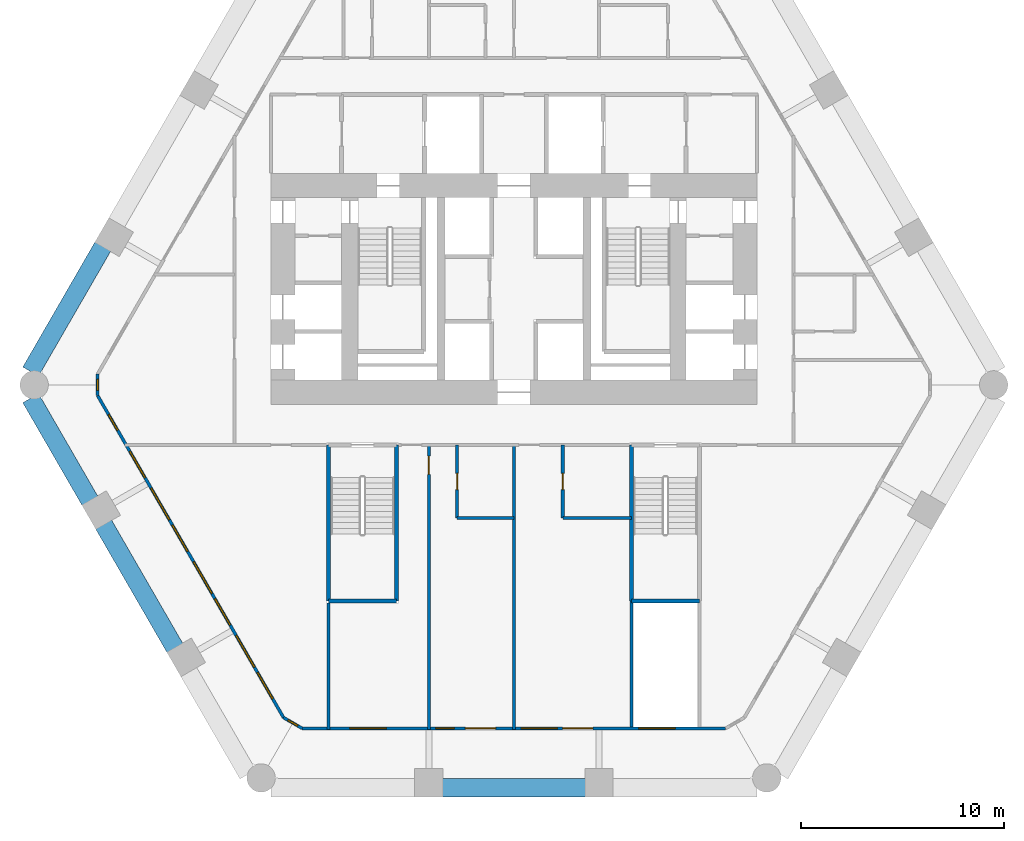
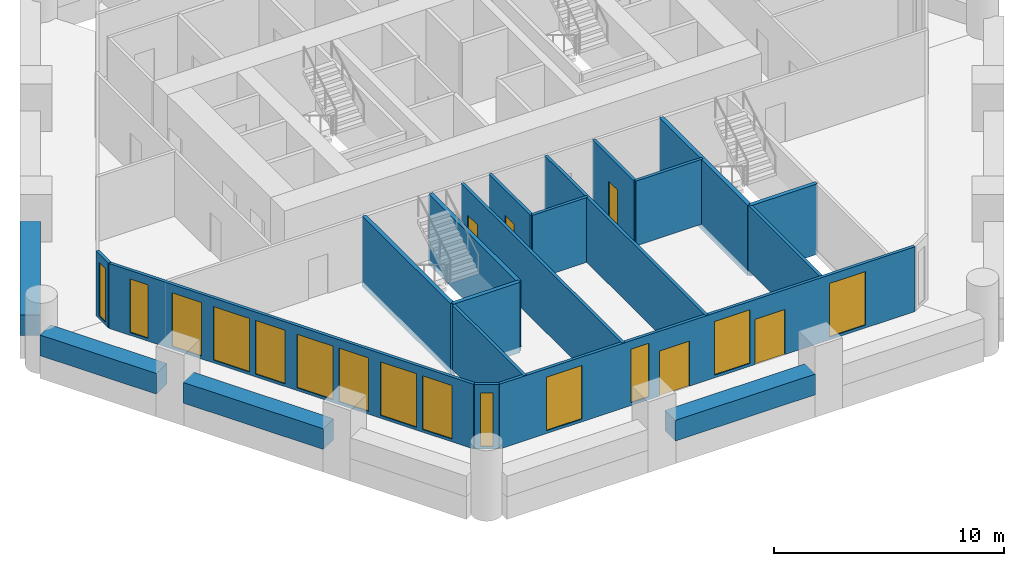
# One storey, part 2 of 8: 21 walls, 14 windows, 5 doors, 19 openings.
"""IFC4 building model written with IfcOpenShell, lengths in metres."""

from ifc_helpers import new_model, si_unit, direction, frame, frame_2d, origin, place, context, subcontext, project, spatial, rectangle, extrude, material, layer, layer_set, type_object, element, fill, save


model = new_model("IFC4")

# Units and contexts
model_context = context("Model", 3, precision=1e-05, world=origin(), true_north=direction((0.0, 1.0)))
body_context = subcontext(model_context, "Body", "Model", "MODEL_VIEW")
ifc_project = project(units=[si_unit("LENGTHUNIT", "METRE"), si_unit("AREAUNIT", "SQUARE_METRE"), si_unit("VOLUMEUNIT", "CUBIC_METRE"), si_unit("PLANEANGLEUNIT", "RADIAN"), si_unit("MASSUNIT", "GRAM", prefix="KILO")], contexts=[model_context])

# Site, building, storey
site_placement = place(None, origin())
site = spatial("IfcSite", under=ifc_project, at=site_placement, CompositionType="ELEMENT")
building_placement = place(site_placement, origin())
building = spatial("IfcBuilding", under=site, at=building_placement, Name="Ostrander Bayou Hotel Tower", CompositionType="ELEMENT")
storey_placement = place(building_placement, frame((0.0, 0.0, 61.75)))
storey = spatial("IfcBuildingStorey", under=building, at=storey_placement, Name="L15", CompositionType="ELEMENT", Elevation=61.75)

# Wall, openings, windows
ifc_material_1 = material(Name="Aluminium framed insulated wall", Category="aluminium")
ifc_layer_1 = layer(ifc_material_1, 0.14990234375)
ifc_layer_set_1 = layer_set([ifc_layer_1], Name="GW1 glass-line wall 150 mm")
wall_type_1 = type_object("IfcWallType", Name="GW1 glass-line wall 150 mm", PredefinedType="SOLIDWALL", material=ifc_layer_set_1)
wall_1_placement = place(storey_placement, frame((-20.542724609375, -1.268798828125, 0.0), z_axis=(0.0, 0.0, 1.0), x_axis=(0.499995095024, -0.866028235655, 0.0)))
wall_1 = element("IfcWall", 1, at=wall_1_placement, inside=storey, type_object=wall_type_1, Name="GW1 L15 SW 1", PredefinedType="SOLIDWALL", context=body_context, shape_type="SweptSolid", body=[
    extrude(rectangle(XDim=18.344970703125, YDim=0.14990234375, at=frame_2d((9.17236328125, 0.0))), origin(), (0.0, 0.0, 1.0), 3.449951171875),
])
opening_1_placement = place(wall_1_placement, frame((1.072509765625, 0.0, 0.14990234375)))
opening_1 = element("IfcOpeningElement", 2, at=opening_1_placement, cuts=wall_1, Name="Opening W15", PredefinedType="OPENING", context=body_context, shape_type="SweptSolid", body=[
    extrude(rectangle(XDim=0.89990234375, YDim=2.85009765625, at=frame_2d((0.449951171875, 1.425048828125))), frame((0.0, 0.074951171875, 0.0), z_axis=(0.0, -1.0, 0.0), x_axis=(1.0, 0.0, 0.0)), (0.0, 0.0, 1.0), 0.14990234375),
])
opening_2_placement = place(wall_1_placement, frame((3.17236328125, 0.0, 0.14990234375)))
opening_2 = element("IfcOpeningElement", 3, at=opening_2_placement, cuts=wall_1, Name="Opening W11", PredefinedType="OPENING", context=body_context, shape_type="SweptSolid", body=[
    extrude(rectangle(XDim=1.5, YDim=2.85009765625, at=frame_2d((0.75, 1.425048828125))), frame((0.0, 0.074951171875, 0.0), z_axis=(0.0, -1.0, 0.0), x_axis=(1.0, 0.0, 0.0)), (0.0, 0.0, 1.0), 0.14990234375),
])
opening_3_placement = place(wall_1_placement, frame((5.2724609375, 0.0, 0.14990234375)))
opening_3 = element("IfcOpeningElement", 4, at=opening_3_placement, cuts=wall_1, Name="Opening W1", PredefinedType="OPENING", context=body_context, shape_type="SweptSolid", body=[
    extrude(rectangle(XDim=1.800048828125, YDim=2.85009765625, at=frame_2d((0.89990234375, 1.425048828125))), frame((0.0, 0.074951171875, 0.0), z_axis=(0.0, -1.0, 0.0), x_axis=(1.0, 0.0, 0.0)), (0.0, 0.0, 1.0), 0.14990234375),
])
opening_4_placement = place(wall_1_placement, frame((7.372314453125, 0.0, 0.14990234375)))
opening_4 = element("IfcOpeningElement", 5, at=opening_4_placement, cuts=wall_1, Name="Opening W11", PredefinedType="OPENING", context=body_context, shape_type="SweptSolid", body=[
    extrude(rectangle(XDim=1.5, YDim=2.85009765625, at=frame_2d((0.75, 1.425048828125))), frame((0.0, 0.074951171875, 0.0), z_axis=(0.0, -1.0, 0.0), x_axis=(1.0, 0.0, 0.0)), (0.0, 0.0, 1.0), 0.14990234375),
])
opening_5_placement = place(wall_1_placement, frame((9.472412109375, 0.0, 0.14990234375)))
opening_5 = element("IfcOpeningElement", 6, at=opening_5_placement, cuts=wall_1, Name="Opening W1", PredefinedType="OPENING", context=body_context, shape_type="SweptSolid", body=[
    extrude(rectangle(XDim=1.800048828125, YDim=2.85009765625, at=frame_2d((0.89990234375, 1.425048828125))), frame((0.0, 0.074951171875, 0.0), z_axis=(0.0, -1.0, 0.0), x_axis=(1.0, 0.0, 0.0)), (0.0, 0.0, 1.0), 0.14990234375),
])
opening_6_placement = place(wall_1_placement, frame((11.572509765625, 0.0, 0.14990234375)))
opening_6 = element("IfcOpeningElement", 7, at=opening_6_placement, cuts=wall_1, Name="Opening W11", PredefinedType="OPENING", context=body_context, shape_type="SweptSolid", body=[
    extrude(rectangle(XDim=1.5, YDim=2.85009765625, at=frame_2d((0.75, 1.425048828125))), frame((0.0, 0.074951171875, 0.0), z_axis=(0.0, -1.0, 0.0), x_axis=(1.0, 0.0, 0.0)), (0.0, 0.0, 1.0), 0.14990234375),
])
opening_7_placement = place(wall_1_placement, frame((13.67236328125, 0.0, 0.14990234375)))
opening_7 = element("IfcOpeningElement", 8, at=opening_7_placement, cuts=wall_1, Name="Opening W1", PredefinedType="OPENING", context=body_context, shape_type="SweptSolid", body=[
    extrude(rectangle(XDim=1.800048828125, YDim=2.85009765625, at=frame_2d((0.89990234375, 1.425048828125))), frame((0.0, 0.074951171875, 0.0), z_axis=(0.0, -1.0, 0.0), x_axis=(1.0, 0.0, 0.0)), (0.0, 0.0, 1.0), 0.14990234375),
])
opening_8_placement = place(wall_1_placement, frame((15.7724609375, 0.0, 0.14990234375)))
opening_8 = element("IfcOpeningElement", 9, at=opening_8_placement, cuts=wall_1, Name="Opening W11", PredefinedType="OPENING", context=body_context, shape_type="SweptSolid", body=[
    extrude(rectangle(XDim=1.5, YDim=2.85009765625, at=frame_2d((0.75, 1.425048828125))), frame((0.0, 0.074951171875, 0.0), z_axis=(0.0, -1.0, 0.0), x_axis=(1.0, 0.0, 0.0)), (0.0, 0.0, 1.0), 0.14990234375),
])
ifc_material_2 = material(Name="Aluminium and clear glass", Category="aluminium")
window_type_1 = type_object("IfcWindowType", Name="W1 fixed window 1800 mm, zone 1", PartitioningType="SINGLE_PANEL", PredefinedType="WINDOW", material=ifc_material_2)
window_1_placement = place(opening_3_placement, origin())
window_1 = element("IfcWindow", 10, at=window_1_placement, inside=storey, type_object=window_type_1, Name="W1 L15 SW 2", OverallHeight=2.85009765625, OverallWidth=1.800048828125, PartitioningType="SINGLE_PANEL", PredefinedType="WINDOW", context=body_context, shape_type="SweptSolid", body=[
    extrude(rectangle(XDim=1.800048828125, YDim=2.85009765625, at=frame_2d((0.89990234375, 1.425048828125))), frame((0.0, 0.030029296875, 0.0), z_axis=(0.0, -1.0, 0.0), x_axis=(1.0, 0.0, 0.0)), (0.0, 0.0, 1.0), 0.06005859375),
])
fill(opening_3, window_1)
window_2_placement = place(opening_5_placement, origin())
window_2 = element("IfcWindow", 11, at=window_2_placement, inside=storey, type_object=window_type_1, Name="W1 L15 SW 3", OverallHeight=2.85009765625, OverallWidth=1.800048828125, PartitioningType="SINGLE_PANEL", PredefinedType="WINDOW", context=body_context, shape_type="SweptSolid", body=[
    extrude(rectangle(XDim=1.800048828125, YDim=2.85009765625, at=frame_2d((0.89990234375, 1.425048828125))), frame((0.0, 0.030029296875, 0.0), z_axis=(0.0, -1.0, 0.0), x_axis=(1.0, 0.0, 0.0)), (0.0, 0.0, 1.0), 0.06005859375),
])
fill(opening_5, window_2)
window_3_placement = place(opening_7_placement, origin())
window_3 = element("IfcWindow", 12, at=window_3_placement, inside=storey, type_object=window_type_1, Name="W1 L15 SW 4", OverallHeight=2.85009765625, OverallWidth=1.800048828125, PartitioningType="SINGLE_PANEL", PredefinedType="WINDOW", context=body_context, shape_type="SweptSolid", body=[
    extrude(rectangle(XDim=1.800048828125, YDim=2.85009765625, at=frame_2d((0.89990234375, 1.425048828125))), frame((0.0, 0.030029296875, 0.0), z_axis=(0.0, -1.0, 0.0), x_axis=(1.0, 0.0, 0.0)), (0.0, 0.0, 1.0), 0.06005859375),
])
fill(opening_7, window_3)
ifc_material_3 = material(Name="Aluminium and clear glass", Category="aluminium")
window_type_2 = type_object("IfcWindowType", Name="W11 fixed window 1500 mm, bath bay, zone 1", PartitioningType="SINGLE_PANEL", PredefinedType="WINDOW", material=ifc_material_3)
window_4_placement = place(opening_2_placement, origin())
window_4 = element("IfcWindow", 13, at=window_4_placement, inside=storey, type_object=window_type_2, Name="W11 L15 SW 1", OverallHeight=2.85009765625, OverallWidth=1.5, PartitioningType="SINGLE_PANEL", PredefinedType="WINDOW", context=body_context, shape_type="SweptSolid", body=[
    extrude(rectangle(XDim=1.5, YDim=2.85009765625, at=frame_2d((0.75, 1.425048828125))), frame((0.0, 0.030029296875, 0.0), z_axis=(0.0, -1.0, 0.0), x_axis=(1.0, 0.0, 0.0)), (0.0, 0.0, 1.0), 0.06005859375),
])
fill(opening_2, window_4)
window_5_placement = place(opening_4_placement, origin())
window_5 = element("IfcWindow", 14, at=window_5_placement, inside=storey, type_object=window_type_2, Name="W11 L15 SW 2", OverallHeight=2.85009765625, OverallWidth=1.5, PartitioningType="SINGLE_PANEL", PredefinedType="WINDOW", context=body_context, shape_type="SweptSolid", body=[
    extrude(rectangle(XDim=1.5, YDim=2.85009765625, at=frame_2d((0.75, 1.425048828125))), frame((0.0, 0.030029296875, 0.0), z_axis=(0.0, -1.0, 0.0), x_axis=(1.0, 0.0, 0.0)), (0.0, 0.0, 1.0), 0.06005859375),
])
fill(opening_4, window_5)
window_6_placement = place(opening_6_placement, origin())
window_6 = element("IfcWindow", 15, at=window_6_placement, inside=storey, type_object=window_type_2, Name="W11 L15 SW 3", OverallHeight=2.85009765625, OverallWidth=1.5, PartitioningType="SINGLE_PANEL", PredefinedType="WINDOW", context=body_context, shape_type="SweptSolid", body=[
    extrude(rectangle(XDim=1.5, YDim=2.85009765625, at=frame_2d((0.75, 1.425048828125))), frame((0.0, 0.030029296875, 0.0), z_axis=(0.0, -1.0, 0.0), x_axis=(1.0, 0.0, 0.0)), (0.0, 0.0, 1.0), 0.06005859375),
])
fill(opening_6, window_6)
window_7_placement = place(opening_8_placement, origin())
window_7 = element("IfcWindow", 16, at=window_7_placement, inside=storey, type_object=window_type_2, Name="W11 L15 SW 4", OverallHeight=2.85009765625, OverallWidth=1.5, PartitioningType="SINGLE_PANEL", PredefinedType="WINDOW", context=body_context, shape_type="SweptSolid", body=[
    extrude(rectangle(XDim=1.5, YDim=2.85009765625, at=frame_2d((0.75, 1.425048828125))), frame((0.0, 0.030029296875, 0.0), z_axis=(0.0, -1.0, 0.0), x_axis=(1.0, 0.0, 0.0)), (0.0, 0.0, 1.0), 0.06005859375),
])
fill(opening_8, window_7)
ifc_material_4 = material(Name="Aluminium and clear glass", Category="aluminium")
window_type_3 = type_object("IfcWindowType", Name="W15 window 900 mm, zone 1", PartitioningType="SINGLE_PANEL", PredefinedType="WINDOW", material=ifc_material_4)
window_8_placement = place(opening_1_placement, origin())
window_8 = element("IfcWindow", 17, at=window_8_placement, inside=storey, type_object=window_type_3, Name="W15 L15 SW 1", OverallHeight=2.85009765625, OverallWidth=0.89990234375, PartitioningType="SINGLE_PANEL", PredefinedType="WINDOW", context=body_context, shape_type="SweptSolid", body=[
    extrude(rectangle(XDim=0.89990234375, YDim=2.85009765625, at=frame_2d((0.449951171875, 1.425048828125))), frame((0.0, 0.030029296875, 0.0), z_axis=(0.0, -1.0, 0.0), x_axis=(1.0, 0.0, 0.0)), (0.0, 0.0, 1.0), 0.06005859375),
])
fill(opening_1, window_8)

# Wall, openings, doors, windows
wall_2_placement = place(storey_placement, frame((-10.447998046875, -17.688720703125, 0.0), z_axis=(0.0, 0.0, 1.0), x_axis=(1.0, 0.0, 0.0)))
wall_2 = element("IfcWall", 18, at=wall_2_placement, inside=storey, type_object=wall_type_1, Name="GW1 L15 S 1", PredefinedType="SOLIDWALL", context=body_context, shape_type="SweptSolid", body=[
    extrude(rectangle(XDim=20.89599609375, YDim=0.14990234375, at=frame_2d((10.447998046875, 0.0))), origin(), (0.0, 0.0, 1.0), 3.449951171875),
])
opening_9_placement = place(wall_2_placement, frame((2.347900390625, 0.0, 0.14990234375)))
opening_9 = element("IfcOpeningElement", 19, at=opening_9_placement, cuts=wall_2, Name="Opening W1", PredefinedType="OPENING", context=body_context, shape_type="SweptSolid", body=[
    extrude(rectangle(XDim=1.800048828125, YDim=2.85009765625, at=frame_2d((0.89990234375, 1.425048828125))), frame((0.0, 0.074951171875, 0.0), z_axis=(0.0, -1.0, 0.0), x_axis=(1.0, 0.0, 0.0)), (0.0, 0.0, 1.0), 0.14990234375),
])
opening_10_placement = place(wall_2_placement, frame((6.597900390625, 0.0, 0.14990234375)))
opening_10 = element("IfcOpeningElement", 20, at=opening_10_placement, cuts=wall_2, Name="Opening W15", PredefinedType="OPENING", context=body_context, shape_type="SweptSolid", body=[
    extrude(rectangle(XDim=0.89990234375, YDim=2.85009765625, at=frame_2d((0.449951171875, 1.425048828125))), frame((0.0, 0.074951171875, 0.0), z_axis=(0.0, -1.0, 0.0), x_axis=(1.0, 0.0, 0.0)), (0.0, 0.0, 1.0), 0.14990234375),
])
opening_11_placement = place(wall_2_placement, frame((8.048095703125, 0.0, 0.0)))
opening_11 = element("IfcOpeningElement", 21, at=opening_11_placement, cuts=wall_2, Name="Opening T15-801", PredefinedType="OPENING", context=body_context, shape_type="SweptSolid", body=[
    extrude(rectangle(XDim=1.5, YDim=2.39990234375, at=frame_2d((0.75, 1.199951171875))), frame((0.0, 0.074951171875, 0.0), z_axis=(0.0, -1.0, 0.0), x_axis=(1.0, 0.0, 0.0)), (0.0, 0.0, 1.0), 0.14990234375),
])
opening_12_placement = place(wall_2_placement, frame((10.798095703125, 0.0, 0.14990234375)))
opening_12 = element("IfcOpeningElement", 22, at=opening_12_placement, cuts=wall_2, Name="Opening W1", PredefinedType="OPENING", context=body_context, shape_type="SweptSolid", body=[
    extrude(rectangle(XDim=1.800048828125, YDim=2.85009765625, at=frame_2d((0.89990234375, 1.425048828125))), frame((0.0, 0.074951171875, 0.0), z_axis=(0.0, -1.0, 0.0), x_axis=(1.0, 0.0, 0.0)), (0.0, 0.0, 1.0), 0.14990234375),
])
opening_13_placement = place(wall_2_placement, frame((12.847900390625, 0.0, 0.0)))
opening_13 = element("IfcOpeningElement", 23, at=opening_13_placement, cuts=wall_2, Name="Opening T15-802", PredefinedType="OPENING", context=body_context, shape_type="SweptSolid", body=[
    extrude(rectangle(XDim=1.5, YDim=2.39990234375, at=frame_2d((0.75, 1.199951171875))), frame((0.0, 0.074951171875, 0.0), z_axis=(0.0, -1.0, 0.0), x_axis=(1.0, 0.0, 0.0)), (0.0, 0.0, 1.0), 0.14990234375),
])
opening_14_placement = place(wall_2_placement, frame((16.597900390625, 0.0, 0.14990234375)))
opening_14 = element("IfcOpeningElement", 24, at=opening_14_placement, cuts=wall_2, Name="Opening W1", PredefinedType="OPENING", context=body_context, shape_type="SweptSolid", body=[
    extrude(rectangle(XDim=1.800048828125, YDim=2.85009765625, at=frame_2d((0.89990234375, 1.425048828125))), frame((0.0, 0.074951171875, 0.0), z_axis=(0.0, -1.0, 0.0), x_axis=(1.0, 0.0, 0.0)), (0.0, 0.0, 1.0), 0.14990234375),
])
ifc_material_5 = material(Name="Aluminium and clear glass", Category="aluminium")
door_type_1 = type_object("IfcDoorType", Name="SD1 sliding glass door 1500 mm, zone 1", OperationType="SLIDING_TO_LEFT", PredefinedType="DOOR", material=ifc_material_5)
door_1_placement = place(opening_11_placement, origin())
door_1 = element("IfcDoor", 25, at=door_1_placement, inside=storey, type_object=door_type_1, Name="SD1 L15 S 2", OperationType="SLIDING_TO_RIGHT", OverallHeight=2.39990234375, OverallWidth=1.5, PredefinedType="DOOR", context=body_context, shape_type="SweptSolid", body=[
    extrude(rectangle(XDim=1.5, YDim=2.39990234375, at=frame_2d((0.75, 1.199951171875))), frame((0.0, 0.02490234375, 0.0), z_axis=(0.0, -1.0, 0.0), x_axis=(1.0, 0.0, 0.0)), (0.0, 0.0, 1.0), 0.050048828125),
])
fill(opening_11, door_1)
door_2_placement = place(opening_13_placement, origin())
door_2 = element("IfcDoor", 26, at=door_2_placement, inside=storey, type_object=door_type_1, Name="SD1 L15 S 3", OperationType="SLIDING_TO_LEFT", OverallHeight=2.39990234375, OverallWidth=1.5, PredefinedType="DOOR", context=body_context, shape_type="SweptSolid", body=[
    extrude(rectangle(XDim=1.5, YDim=2.39990234375, at=frame_2d((0.75, 1.199951171875))), frame((0.0, 0.02490234375, 0.0), z_axis=(0.0, -1.0, 0.0), x_axis=(1.0, 0.0, 0.0)), (0.0, 0.0, 1.0), 0.050048828125),
])
fill(opening_13, door_2)
window_9_placement = place(opening_9_placement, origin())
window_9 = element("IfcWindow", 27, at=window_9_placement, inside=storey, type_object=window_type_1, Name="W1 L15 S 1", OverallHeight=2.85009765625, OverallWidth=1.800048828125, PartitioningType="SINGLE_PANEL", PredefinedType="WINDOW", context=body_context, shape_type="SweptSolid", body=[
    extrude(rectangle(XDim=1.800048828125, YDim=2.85009765625, at=frame_2d((0.89990234375, 1.425048828125))), frame((0.0, 0.030029296875, 0.0), z_axis=(0.0, -1.0, 0.0), x_axis=(1.0, 0.0, 0.0)), (0.0, 0.0, 1.0), 0.06005859375),
])
fill(opening_9, window_9)
window_10_placement = place(opening_12_placement, origin())
window_10 = element("IfcWindow", 28, at=window_10_placement, inside=storey, type_object=window_type_1, Name="W1 L15 S 3", OverallHeight=2.85009765625, OverallWidth=1.800048828125, PartitioningType="SINGLE_PANEL", PredefinedType="WINDOW", context=body_context, shape_type="SweptSolid", body=[
    extrude(rectangle(XDim=1.800048828125, YDim=2.85009765625, at=frame_2d((0.89990234375, 1.425048828125))), frame((0.0, 0.030029296875, 0.0), z_axis=(0.0, -1.0, 0.0), x_axis=(1.0, 0.0, 0.0)), (0.0, 0.0, 1.0), 0.06005859375),
])
fill(opening_12, window_10)
window_11_placement = place(opening_14_placement, origin())
window_11 = element("IfcWindow", 29, at=window_11_placement, inside=storey, type_object=window_type_1, Name="W1 L15 S 4", OverallHeight=2.85009765625, OverallWidth=1.800048828125, PartitioningType="SINGLE_PANEL", PredefinedType="WINDOW", context=body_context, shape_type="SweptSolid", body=[
    extrude(rectangle(XDim=1.800048828125, YDim=2.85009765625, at=frame_2d((0.89990234375, 1.425048828125))), frame((0.0, 0.030029296875, 0.0), z_axis=(0.0, -1.0, 0.0), x_axis=(1.0, 0.0, 0.0)), (0.0, 0.0, 1.0), 0.06005859375),
])
fill(opening_14, window_11)
window_12_placement = place(opening_10_placement, origin())
window_12 = element("IfcWindow", 30, at=window_12_placement, inside=storey, type_object=window_type_3, Name="W15 L15 S 2", OverallHeight=2.85009765625, OverallWidth=0.89990234375, PartitioningType="SINGLE_PANEL", PredefinedType="WINDOW", context=body_context, shape_type="SweptSolid", body=[
    extrude(rectangle(XDim=0.89990234375, YDim=2.85009765625, at=frame_2d((0.449951171875, 1.425048828125))), frame((0.0, 0.030029296875, 0.0), z_axis=(0.0, -1.0, 0.0), x_axis=(1.0, 0.0, 0.0)), (0.0, 0.0, 1.0), 0.06005859375),
])
fill(opening_10, window_12)

# Wall, opening, window
wall_3_placement = place(storey_placement, frame((-20.542724609375, -0.203857421875, 0.0), z_axis=(0.0, 0.0, 1.0), x_axis=(0.0, -1.0, 0.0)))
wall_3 = element("IfcWall", 31, at=wall_3_placement, inside=storey, type_object=wall_type_1, Name="GW1 L15 corner 2", PredefinedType="SOLIDWALL", context=body_context, shape_type="SweptSolid", body=[
    extrude(rectangle(XDim=1.06494140625, YDim=0.14990234375, at=frame_2d((0.532470703125, 0.0))), origin(), (0.0, 0.0, 1.0), 3.449951171875),
])
opening_15_placement = place(wall_3_placement, frame((0.257568359375, 0.0, 0.14990234375)))
opening_15 = element("IfcOpeningElement", 32, at=opening_15_placement, cuts=wall_3, Name="Opening W19", PredefinedType="OPENING", context=body_context, shape_type="SweptSolid", body=[
    extrude(rectangle(XDim=0.550048828125, YDim=2.85009765625, at=frame_2d((0.27490234375, 1.425048828125))), frame((0.0, 0.074951171875, 0.0), z_axis=(0.0, -1.0, 0.0), x_axis=(1.0, 0.0, 0.0)), (0.0, 0.0, 1.0), 0.14990234375),
])
ifc_material_6 = material(Name="Aluminium and clear glass", Category="aluminium")
window_type_4 = type_object("IfcWindowType", Name="W19 corner window 550 mm", PartitioningType="SINGLE_PANEL", PredefinedType="WINDOW", material=ifc_material_6)
window_13_placement = place(opening_15_placement, origin())
window_13 = element("IfcWindow", 33, at=window_13_placement, inside=storey, type_object=window_type_4, Name="W19 L15 corner 2", OverallHeight=2.85009765625, OverallWidth=0.550048828125, PartitioningType="SINGLE_PANEL", PredefinedType="WINDOW", context=body_context, shape_type="SweptSolid", body=[
    extrude(rectangle(XDim=0.550048828125, YDim=2.85009765625, at=frame_2d((0.27490234375, 1.425048828125))), frame((0.0, 0.030029296875, 0.0), z_axis=(0.0, -1.0, 0.0), x_axis=(1.0, 0.0, 0.0)), (0.0, 0.0, 1.0), 0.06005859375),
])
fill(opening_15, window_13)

wall_4_placement = place(storey_placement, frame((-11.370361328125, -17.156005859375, 0.0), z_axis=(0.0, 0.0, 1.0), x_axis=(0.865948903286, -0.500132479346, 0.0)))
wall_4 = element("IfcWall", 34, at=wall_4_placement, inside=storey, type_object=wall_type_1, Name="GW1 L15 corner 3", PredefinedType="SOLIDWALL", context=body_context, shape_type="SweptSolid", body=[
    extrude(rectangle(XDim=1.065185546875, YDim=0.14990234375, at=frame_2d((0.53271484375, 0.0))), origin(), (0.0, 0.0, 1.0), 3.449951171875),
])
opening_16_placement = place(wall_4_placement, frame((0.257568359375, 0.0, 0.14990234375)))
opening_16 = element("IfcOpeningElement", 35, at=opening_16_placement, cuts=wall_4, Name="Opening W19", PredefinedType="OPENING", context=body_context, shape_type="SweptSolid", body=[
    extrude(rectangle(XDim=0.550048828125, YDim=2.85009765625, at=frame_2d((0.27490234375, 1.425048828125))), frame((0.0, 0.074951171875, 0.0), z_axis=(0.0, -1.0, 0.0), x_axis=(1.0, 0.0, 0.0)), (0.0, 0.0, 1.0), 0.14990234375),
])
window_14_placement = place(opening_16_placement, origin())
window_14 = element("IfcWindow", 36, at=window_14_placement, inside=storey, type_object=window_type_4, Name="W19 L15 corner 3", OverallHeight=2.85009765625, OverallWidth=0.550048828125, PartitioningType="SINGLE_PANEL", PredefinedType="WINDOW", context=body_context, shape_type="SweptSolid", body=[
    extrude(rectangle(XDim=0.550048828125, YDim=2.85009765625, at=frame_2d((0.27490234375, 1.425048828125))), frame((0.0, 0.030029296875, 0.0), z_axis=(0.0, -1.0, 0.0), x_axis=(1.0, 0.0, 0.0)), (0.0, 0.0, 1.0), 0.06005859375),
])
fill(opening_16, window_14)

# Walls
ifc_material_7 = material(Name="Concrete f'c 40 MPa", Category="concrete")
ifc_layer_2 = layer(ifc_material_7, 0.89990234375)
ifc_layer_set_2 = layer_set([ifc_layer_2], Name="PA1 stone-faced parapet 900 mm")
wall_type_2 = type_object("IfcWallType", Name="PA1 stone-faced parapet 900 mm", PredefinedType="PARAPET", material=ifc_layer_set_2)
wall_5_placement = place(storey_placement, frame((-20.28466796875, 6.09326171875, 0.0), z_axis=(0.0, 0.0, 1.0), x_axis=(-0.499999136801, -0.866025902152, 0.0)))
element("IfcWall", 37, at=wall_5_placement, inside=storey, type_object=wall_type_2, Name="PA1 L15 NW-3", PredefinedType="PARAPET", context=body_context, shape_type="SweptSolid", body=[
    extrude(rectangle(XDim=7.12890625, YDim=0.89990234375, at=frame_2d((3.564453125, 0.0))), origin(), (0.0, 0.0, 1.0), 1.10009765625),
])
wall_6_placement = place(storey_placement, frame((-3.525390625, -20.613525390625, 0.0), z_axis=(0.0, 0.0, 1.0), x_axis=(1.0, 0.0, 0.0)))
element("IfcWall", 38, at=wall_6_placement, inside=storey, type_object=wall_type_2, Name="PA1 L15 S-2", PredefinedType="PARAPET", context=body_context, shape_type="SweptSolid", body=[
    extrude(rectangle(XDim=7.05078125, YDim=0.89990234375, at=frame_2d((3.525390625, 0.0))), origin(), (0.0, 0.0, 1.0), 1.10009765625),
])
ifc_material_8 = material(Name="Limestone masonry", Category="masonry")
ifc_layer_3 = layer(ifc_material_8, 0.89990234375)
ifc_layer_set_3 = layer_set([ifc_layer_3], Name="PA2 limestone parapet 900 mm")
wall_type_3 = type_object("IfcWallType", Name="PA2 limestone parapet 900 mm", PredefinedType="PARAPET", material=ifc_layer_set_3)
wall_7_placement = place(storey_placement, frame((-23.84912109375, -1.392333984375, 0.0), z_axis=(0.0, 0.0, 1.0), x_axis=(0.500014901547, -0.866016800201, 0.0)))
element("IfcWall", 39, at=wall_7_placement, inside=storey, type_object=wall_type_3, Name="PA2 L15 SW-1", PredefinedType="PARAPET", context=body_context, shape_type="SweptSolid", body=[
    extrude(rectangle(XDim=5.853271484375, YDim=0.89990234375, at=frame_2d((2.9267578125, 0.0))), origin(), (0.0, 0.0, 1.0), 1.10009765625),
])
wall_8_placement = place(storey_placement, frame((-20.252197265625, -7.621826171875, 0.0), z_axis=(0.0, 0.0, 1.0), x_axis=(0.499997206141, -0.866027016814, 0.0)))
element("IfcWall", 40, at=wall_8_placement, inside=storey, type_object=wall_type_3, Name="PA2 L15 SW-2", PredefinedType="PARAPET", context=body_context, shape_type="SweptSolid", body=[
    extrude(rectangle(XDim=7.05078125, YDim=0.89990234375, at=frame_2d((3.525390625, 0.0))), origin(), (0.0, 0.0, 1.0), 1.10009765625),
])
ifc_material_9 = material(Name="Gypsum board partition", Category="finish")
ifc_layer_4 = layer(ifc_material_9, 0.14990234375)
ifc_layer_set_4 = layer_set([ifc_layer_4], Name="PT7 riser wall 150 mm, 2 hour")
wall_type_4 = type_object("IfcWallType", Name="PT7 riser wall 150 mm, 2 hour", PredefinedType="PARTITIONING", material=ifc_layer_set_4)
wall_9_placement = place(storey_placement, frame((5.800048828125, -11.39990234375, 0.0), z_axis=(0.0, 0.0, 1.0), x_axis=(0.0, -1.0, 0.0)))
element("IfcWall", 41, at=wall_9_placement, inside=storey, type_object=wall_type_4, Name="cs:L15:019", PredefinedType="PARTITIONING", context=body_context, shape_type="SweptSolid", body=[
    extrude(rectangle(XDim=6.213623046875, YDim=0.14990234375, at=frame_2d((3.10693359375, 0.0))), origin(), (0.0, 0.0, 1.0), 3.449951171875),
])
ifc_material_10 = material(Name="Gypsum board partition", Category="finish")
ifc_layer_5 = layer(ifc_material_10, 0.14990234375)
ifc_layer_set_5 = layer_set([ifc_layer_5], Name="PT8 service band wall 150 mm, 1 hour")
wall_type_5 = type_object("IfcWallType", Name="PT8 service band wall 150 mm, 1 hour", PredefinedType="PARTITIONING", material=ifc_layer_set_5)
wall_10_placement = place(storey_placement, frame((-2.800048828125, -7.300048828125, 0.0), z_axis=(0.0, 0.0, 1.0), x_axis=(1.0, 0.0, 0.0)))
element("IfcWall", 42, at=wall_10_placement, inside=storey, type_object=wall_type_5, Name="gw:L15:001", PredefinedType="PARTITIONING", context=body_context, shape_type="SweptSolid", body=[
    extrude(rectangle(XDim=2.800048828125, YDim=0.14990234375, at=frame_2d((1.39990234375, 0.0))), origin(), (0.0, 0.0, 1.0), 3.449951171875),
])
wall_11_placement = place(storey_placement, frame((2.409912109375, -7.300048828125, 0.0), z_axis=(0.0, 0.0, 1.0), x_axis=(1.0, 0.0, 0.0)))
element("IfcWall", 43, at=wall_11_placement, inside=storey, type_object=wall_type_5, Name="gw:L15:002", PredefinedType="PARTITIONING", context=body_context, shape_type="SweptSolid", body=[
    extrude(rectangle(XDim=3.380126953125, YDim=0.14990234375, at=frame_2d((1.68994140625, 0.0))), origin(), (0.0, 0.0, 1.0), 3.449951171875),
])

# Wall, opening, door
wall_12_placement = place(storey_placement, frame((2.409912109375, -7.300048828125, 0.0), z_axis=(0.0, 0.0, 1.0), x_axis=(0.0, 1.0, 0.0)))
wall_12 = element("IfcWall", 44, at=wall_12_placement, inside=storey, type_object=wall_type_5, Name="gw:L15:023", PredefinedType="PARTITIONING", context=body_context, shape_type="SweptSolid", body=[
    extrude(rectangle(XDim=3.60009765625, YDim=0.14990234375, at=frame_2d((1.800048828125, 0.0))), origin(), (0.0, 0.0, 1.0), 3.449951171875),
])
opening_17_placement = place(wall_12_placement, frame((1.39990234375, 0.0, 0.0)))
opening_17 = element("IfcOpeningElement", 45, at=opening_17_placement, cuts=wall_12, Name="Opening T15-405", PredefinedType="OPENING", context=body_context, shape_type="SweptSolid", body=[
    extrude(rectangle(XDim=0.800048828125, YDim=2.10009765625, at=frame_2d((0.39990234375, 1.050048828125))), frame((0.0, 0.074951171875, 0.0), z_axis=(0.0, -1.0, 0.0), x_axis=(1.0, 0.0, 0.0)), (0.0, 0.0, 1.0), 0.14990234375),
])
ifc_material_11 = material(Name="Timber door leaf", Category="wood")
door_type_2 = type_object("IfcDoorType", Name="D2 bathroom door 800 x 2100 mm", OperationType="SINGLE_SWING_LEFT", PredefinedType="DOOR", material=ifc_material_11)
door_3_placement = place(opening_17_placement, origin())
door_3 = element("IfcDoor", 46, at=door_3_placement, inside=storey, type_object=door_type_2, Name="dr:L15:405", OperationType="SINGLE_SWING_RIGHT", OverallHeight=2.10009765625, OverallWidth=0.800048828125, PredefinedType="DOOR", context=body_context, shape_type="SweptSolid", body=[
    extrude(rectangle(XDim=0.800048828125, YDim=2.10009765625, at=frame_2d((0.39990234375, 1.050048828125))), frame((0.0, 0.02490234375, 0.0), z_axis=(0.0, -1.0, 0.0), x_axis=(1.0, 0.0, 0.0)), (0.0, 0.0, 1.0), 0.050048828125),
])
fill(opening_17, door_3)

# Wall
wall_13_placement = place(storey_placement, frame((0.0, -17.73388671875, 0.0), z_axis=(0.0, 0.0, 1.0), x_axis=(0.0, 1.0, 0.0)))
element("IfcWall", 47, at=wall_13_placement, inside=storey, type_object=wall_type_5, Name="gw:L15:024", PredefinedType="PARTITIONING", context=body_context, shape_type="SweptSolid", body=[
    extrude(rectangle(XDim=14.033935546875, YDim=0.14990234375, at=frame_2d((7.01708984375, 0.0))), origin(), (0.0, 0.0, 1.0), 3.449951171875),
])

# Wall, opening, door
wall_14_placement = place(storey_placement, frame((-2.800048828125, -7.300048828125, 0.0), z_axis=(0.0, 0.0, 1.0), x_axis=(0.0, 1.0, 0.0)))
wall_14 = element("IfcWall", 48, at=wall_14_placement, inside=storey, type_object=wall_type_5, Name="gw:L15:027", PredefinedType="PARTITIONING", context=body_context, shape_type="SweptSolid", body=[
    extrude(rectangle(XDim=3.60009765625, YDim=0.14990234375, at=frame_2d((1.800048828125, 0.0))), origin(), (0.0, 0.0, 1.0), 3.449951171875),
])
opening_18_placement = place(wall_14_placement, frame((1.39990234375, 0.0, 0.0)))
opening_18 = element("IfcOpeningElement", 49, at=opening_18_placement, cuts=wall_14, Name="Opening T15-402", PredefinedType="OPENING", context=body_context, shape_type="SweptSolid", body=[
    extrude(rectangle(XDim=0.800048828125, YDim=2.10009765625, at=frame_2d((0.39990234375, 1.050048828125))), frame((0.0, 0.074951171875, 0.0), z_axis=(0.0, -1.0, 0.0), x_axis=(1.0, 0.0, 0.0)), (0.0, 0.0, 1.0), 0.14990234375),
])
door_4_placement = place(opening_18_placement, origin())
door_4 = element("IfcDoor", 50, at=door_4_placement, inside=storey, type_object=door_type_2, Name="dr:L15:402", OperationType="SINGLE_SWING_RIGHT", OverallHeight=2.10009765625, OverallWidth=0.800048828125, PredefinedType="DOOR", context=body_context, shape_type="SweptSolid", body=[
    extrude(rectangle(XDim=0.800048828125, YDim=2.10009765625, at=frame_2d((0.39990234375, 1.050048828125))), frame((0.0, 0.02490234375, 0.0), z_axis=(0.0, -1.0, 0.0), x_axis=(1.0, 0.0, 0.0)), (0.0, 0.0, 1.0), 0.050048828125),
])
fill(opening_18, door_4)

wall_15_placement = place(storey_placement, frame((-4.199951171875, -17.73388671875, 0.0), z_axis=(0.0, 0.0, 1.0), x_axis=(0.0, 1.0, 0.0)))
wall_15 = element("IfcWall", 51, at=wall_15_placement, inside=storey, type_object=wall_type_5, Name="gw:L15:028", PredefinedType="PARTITIONING", context=body_context, shape_type="SweptSolid", body=[
    extrude(rectangle(XDim=14.033935546875, YDim=0.14990234375, at=frame_2d((7.01708984375, 0.0))), origin(), (0.0, 0.0, 1.0), 3.449951171875),
])
opening_19_placement = place(wall_15_placement, frame((12.583984375, 0.0, 0.0)))
opening_19 = element("IfcOpeningElement", 52, at=opening_19_placement, cuts=wall_15, Name="Opening T15-401", PredefinedType="OPENING", context=body_context, shape_type="SweptSolid", body=[
    extrude(rectangle(XDim=0.89990234375, YDim=2.10009765625, at=frame_2d((0.449951171875, 1.050048828125))), frame((0.0, 0.074951171875, 0.0), z_axis=(0.0, -1.0, 0.0), x_axis=(1.0, 0.0, 0.0)), (0.0, 0.0, 1.0), 0.14990234375),
])
ifc_material_12 = material(Name="Timber door leaf", Category="wood")
door_type_3 = type_object("IfcDoorType", Name="D8 room door 900 x 2100 mm", OperationType="SINGLE_SWING_LEFT", PredefinedType="DOOR", material=ifc_material_12)
door_5_placement = place(opening_19_placement, origin())
door_5 = element("IfcDoor", 53, at=door_5_placement, inside=storey, type_object=door_type_3, Name="dr:L15:401", OperationType="SINGLE_SWING_RIGHT", OverallHeight=2.10009765625, OverallWidth=0.89990234375, PredefinedType="DOOR", context=body_context, shape_type="SweptSolid", body=[
    extrude(rectangle(XDim=0.89990234375, YDim=2.10009765625, at=frame_2d((0.449951171875, 1.050048828125))), frame((0.0, 0.02490234375, 0.0), z_axis=(0.0, -1.0, 0.0), x_axis=(1.0, 0.0, 0.0)), (0.0, 0.0, 1.0), 0.050048828125),
])
fill(opening_19, door_5)

# Walls
wall_16_placement = place(storey_placement, frame((-9.14990234375, -17.73388671875, 0.0), z_axis=(0.0, 0.0, 1.0), x_axis=(0.0, 1.0, 0.0)))
element("IfcWall", 54, at=wall_16_placement, inside=storey, type_object=wall_type_5, Name="gw:L15:032", PredefinedType="PARTITIONING", context=body_context, shape_type="SweptSolid", body=[
    extrude(rectangle(XDim=6.223876953125, YDim=0.14990234375, at=frame_2d((3.11181640625, 0.0))), origin(), (0.0, 0.0, 1.0), 3.449951171875),
])
ifc_material_13 = material(Name="Concrete f'c 45 MPa", Category="concrete")
ifc_layer_6 = layer(ifc_material_13, 0.199951171875)
ifc_layer_set_6 = layer_set([ifc_layer_6], Name="SW5 stair enclosure wall 200 mm f'c 45 MPa")
wall_type_6 = type_object("IfcWallType", Name="SW5 stair enclosure wall 200 mm f'c 45 MPa", PredefinedType="SOLIDWALL", material=ifc_layer_set_6)
wall_17_placement = place(storey_placement, frame((5.800048828125, -3.699951171875, -0.300048828125), z_axis=(0.0, 0.0, 1.0), x_axis=(0.0, -1.0, 0.0)))
element("IfcWall", 55, at=wall_17_placement, inside=storey, type_object=wall_type_6, Name="cs:L15:016", PredefinedType="SOLIDWALL", context=body_context, shape_type="SweptSolid", body=[
    extrude(rectangle(XDim=7.699951171875, YDim=0.199951171875, at=frame_2d((3.85009765625, 0.0))), origin(), (0.0, 0.0, 1.0), 3.75),
])
wall_18_placement = place(storey_placement, frame((5.800048828125, -11.39990234375, -0.300048828125), z_axis=(0.0, 0.0, 1.0), x_axis=(1.0, 0.0, 0.0)))
element("IfcWall", 56, at=wall_18_placement, inside=storey, type_object=wall_type_6, Name="cs:L15:018", PredefinedType="SOLIDWALL", context=body_context, shape_type="SweptSolid", body=[
    extrude(rectangle(XDim=3.349853515625, YDim=0.199951171875, at=frame_2d((1.6748046875, 0.0))), origin(), (0.0, 0.0, 1.0), 3.75),
])
for number, where, z_axis, x_axis, name in (
    (57, (-9.14990234375, -3.699951171875, -0.300048828125), (0.0, 0.0, 1.0), (0.0, -1.0, 0.0), "cs:L15:022"),
    (58, (-5.800048828125, -3.699951171875, -0.300048828125), (0.0, 0.0, 1.0), (0.0, -1.0, 0.0), "cs:L15:023"),
):
    element("IfcWall", number, at=place(storey_placement, frame(where, z_axis=z_axis, x_axis=x_axis)), inside=storey, type_object=wall_type_6, Name=name, PredefinedType="SOLIDWALL", context=body_context, shape_type="SweptSolid", body=[
        extrude(rectangle(XDim=7.699951171875, YDim=0.199951171875, at=frame_2d((3.85009765625, 0.0))), origin(), (0.0, 0.0, 1.0), 3.75),
    ])
wall_19_placement = place(storey_placement, frame((-9.14990234375, -11.39990234375, -0.300048828125), z_axis=(0.0, 0.0, 1.0), x_axis=(1.0, 0.0, 0.0)))
element("IfcWall", 59, at=wall_19_placement, inside=storey, type_object=wall_type_6, Name="cs:L15:024", PredefinedType="SOLIDWALL", context=body_context, shape_type="SweptSolid", body=[
    extrude(rectangle(XDim=3.349853515625, YDim=0.199951171875, at=frame_2d((1.6748046875, 0.0))), origin(), (0.0, 0.0, 1.0), 3.75),
])

save(model, "model.ifc")
